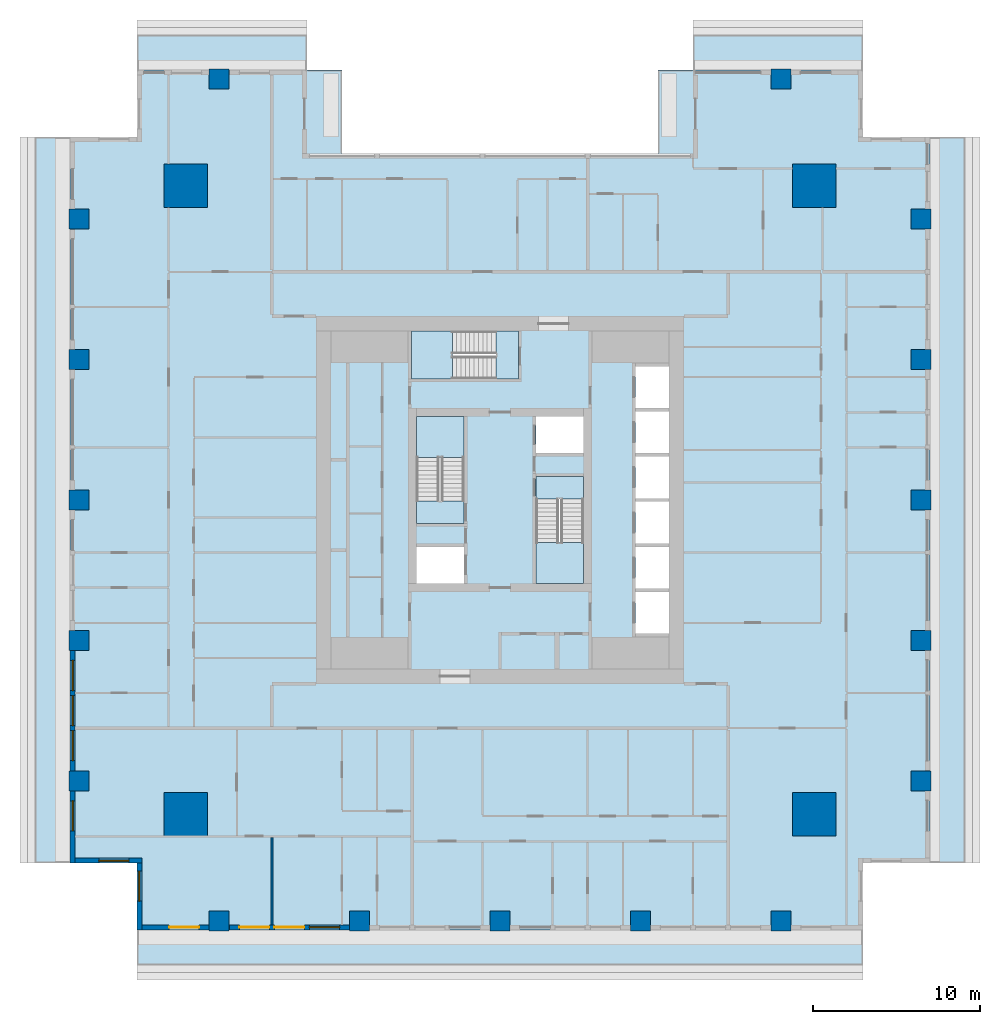
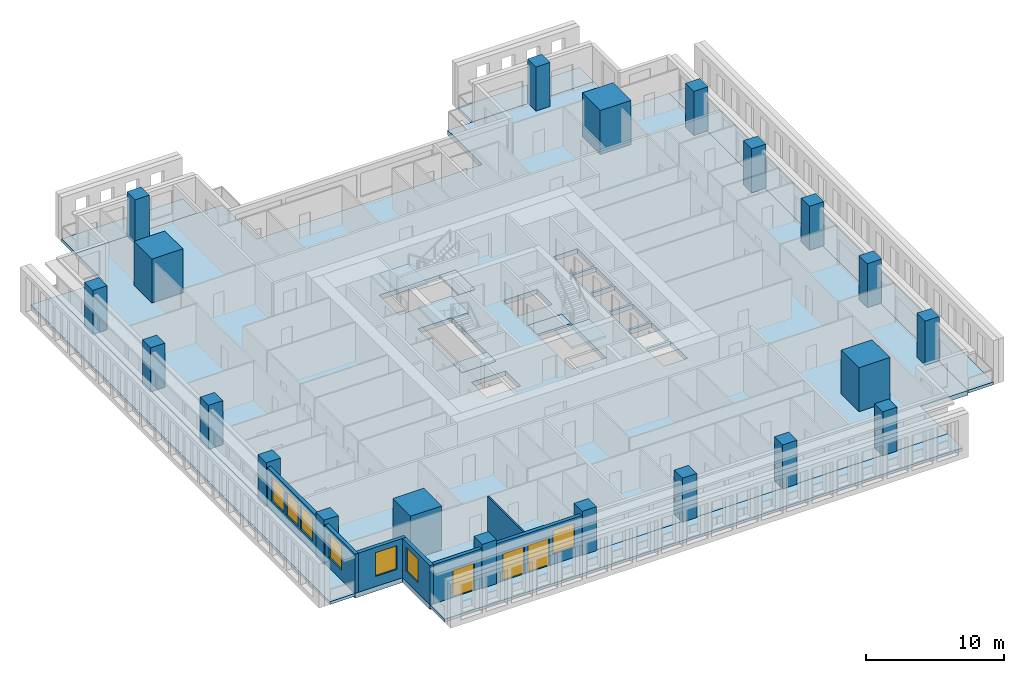
# One storey, part 1 of 15: 21 columns, 12 slabs, 7 walls, 7 windows, 3 doors, 10 openings, 3 elements without a shape of their own.
"""IFC4 building model written with IfcOpenShell, lengths in metres."""

from ifc_helpers import new_model, si_unit, direction, frame, frame_2d, origin, origin_2d, place, context, subcontext, project, spatial, polyline, rectangle, outline, extrude, material, layer, layer_set, material_profile, profile_set, type_object, element, fill, aggregate, save


model = new_model("IFC4")

# Units and contexts
model_context = context("Model", 3, precision=1e-05, world=origin(), true_north=direction((0.0, 1.0)))
body_context = subcontext(model_context, "Body", "Model", "MODEL_VIEW")
ifc_project = project(units=[si_unit("LENGTHUNIT", "METRE"), si_unit("AREAUNIT", "SQUARE_METRE"), si_unit("VOLUMEUNIT", "CUBIC_METRE"), si_unit("PLANEANGLEUNIT", "RADIAN"), si_unit("MASSUNIT", "GRAM", prefix="KILO")], contexts=[model_context])

# Site, building, storey
site_placement = place(None, origin())
site = spatial("IfcSite", under=ifc_project, at=site_placement, CompositionType="ELEMENT")
building_placement = place(site_placement, origin())
building = spatial("IfcBuilding", under=site, at=building_placement, Name="Khepri Terraces", CompositionType="ELEMENT")
storey_placement = place(building_placement, frame((0.0, 0.0, 165.0)))
storey = spatial("IfcBuildingStorey", under=building, at=storey_placement, Name="L39", CompositionType="ELEMENT", Elevation=165.0)

# Columns
ifc_material_1 = material(Name="Concrete C60/75", Category="concrete")
ifc_material_profile_1 = material_profile(ifc_material_1, rectangle(XDim=2.60009765625, YDim=2.60009765625, at=origin_2d()), Name="Concrete C60/75", Category="concrete")
ifc_profile_set_1 = profile_set([ifc_material_profile_1], Name="Concrete C60/75")
column_type_1 = type_object("IfcColumnType", Name="Mega column RC 2600x2600 C60/75", PredefinedType="COLUMN", material=ifc_profile_set_1)
for number, where, z_axis, x_axis, name in (
    (1, (18.800048828125, 18.800048828125, 0.0), (0.0, 0.0, 1.0), (1.0, 0.0, 0.0), "Mega column MEN L39"),
    (2, (18.800048828125, -18.800048828125, 0.0), (0.0, 0.0, 1.0), (1.0, 0.0, 0.0), "Mega column MES L39"),
    (3, (-18.800048828125, 18.800048828125, 0.0), (0.0, 0.0, 1.0), (1.0, 0.0, 0.0), "Mega column MWN L39"),
    (4, (-18.800048828125, -18.800048828125, 0.0), (0.0, 0.0, 1.0), (1.0, 0.0, 0.0), "Mega column MWS L39"),
):
    element("IfcColumn", number, at=place(storey_placement, frame(where, z_axis=z_axis, x_axis=x_axis)), inside=storey, type_object=column_type_1, Name=name, PredefinedType="COLUMN", context=body_context, shape_type="SweptSolid", body=[
        extrude(rectangle(XDim=2.60009765625, YDim=2.60009765625, at=origin_2d()), origin(), (0.0, 0.0, 1.0), 3.89990234375),
    ])
ifc_material_profile_2 = material_profile(ifc_material_1, rectangle(XDim=1.199951171875, YDim=1.199951171875, at=origin_2d()), Name="Concrete C60/75", Category="concrete")
ifc_profile_set_2 = profile_set([ifc_material_profile_2], Name="Concrete C60/75")
column_type_2 = type_object("IfcColumnType", Name="Tower column RC 1200x1200 C60/75", PredefinedType="COLUMN", material=ifc_profile_set_2)
for number, where, z_axis, x_axis, name in (
    (5, (25.199951171875, 0.0, 0.0), (0.0, 0.0, 1.0), (1.0, 0.0, 0.0), "Perimeter column PE+000a L39"),
    (6, (25.199951171875, 8.39990234375, 0.0), (0.0, 0.0, 1.0), (1.0, 0.0, 0.0), "Perimeter column PE+084a L39"),
    (7, (25.199951171875, 16.800048828125, 0.0), (0.0, 0.0, 1.0), (1.0, 0.0, 0.0), "Perimeter column PE+168a L39"),
    (8, (25.199951171875, -8.39990234375, 0.0), (0.0, 0.0, 1.0), (1.0, 0.0, 0.0), "Perimeter column PE-084a L39"),
    (9, (25.199951171875, -16.800048828125, 0.0), (0.0, 0.0, 1.0), (1.0, 0.0, 0.0), "Perimeter column PE-168a L39"),
    (10, (-16.800048828125, 25.199951171875, 0.0), (0.0, 0.0, 1.0), (1.0, 0.0, 0.0), "Perimeter column PN+168a L39"),
    (11, (16.800048828125, 25.199951171875, 0.0), (0.0, 0.0, 1.0), (1.0, 0.0, 0.0), "Perimeter column PN-168a L39"),
    (12, (0.0, -25.199951171875, 0.0), (0.0, 0.0, 1.0), (1.0, 0.0, 0.0), "Perimeter column PS+000b L39"),
    (13, (8.39990234375, -25.199951171875, 0.0), (0.0, 0.0, 1.0), (1.0, 0.0, 0.0), "Perimeter column PS+084b L39"),
    (14, (16.800048828125, -25.199951171875, 0.0), (0.0, 0.0, 1.0), (1.0, 0.0, 0.0), "Perimeter column PS+168a L39"),
    (15, (-8.39990234375, -25.199951171875, 0.0), (0.0, 0.0, 1.0), (1.0, 0.0, 0.0), "Perimeter column PS-084b L39"),
    (16, (-16.800048828125, -25.199951171875, 0.0), (0.0, 0.0, 1.0), (1.0, 0.0, 0.0), "Perimeter column PS-168a L39"),
    (17, (-25.199951171875, 0.0, 0.0), (0.0, 0.0, 1.0), (1.0, 0.0, 0.0), "Perimeter column PW+000b L39"),
    (18, (-25.199951171875, -8.39990234375, 0.0), (0.0, 0.0, 1.0), (1.0, 0.0, 0.0), "Perimeter column PW+084b L39"),
    (19, (-25.199951171875, -16.800048828125, 0.0), (0.0, 0.0, 1.0), (1.0, 0.0, 0.0), "Perimeter column PW+168a L39"),
    (20, (-25.199951171875, 8.39990234375, 0.0), (0.0, 0.0, 1.0), (1.0, 0.0, 0.0), "Perimeter column PW-084b L39"),
    (21, (-25.199951171875, 16.800048828125, 0.0), (0.0, 0.0, 1.0), (1.0, 0.0, 0.0), "Perimeter column PW-168a L39"),
):
    element("IfcColumn", number, at=place(storey_placement, frame(where, z_axis=z_axis, x_axis=x_axis)), inside=storey, type_object=column_type_2, Name=name, PredefinedType="COLUMN", context=body_context, shape_type="SweptSolid", body=[
        extrude(rectangle(XDim=1.199951171875, YDim=1.199951171875, at=origin_2d()), origin(), (0.0, 0.0, 1.0), 3.89990234375),
    ])

# Slabs
ifc_material_2 = material(Name="Concrete C40/50", Category="concrete")
ifc_layer_1 = layer(ifc_material_2, 0.419921875, Name="Concrete C40/50", Category="concrete")
ifc_layer_set_1 = layer_set([ifc_layer_1], Name="Concrete C40/50")
slab_type_1 = type_object("IfcSlabType", Name="Flat plate 420", PredefinedType="FLOOR", material=ifc_layer_set_1)
slab_1_placement = place(storey_placement, frame((0.0, 0.0, -0.419921875)))
element("IfcSlab", 22, at=slab_1_placement, inside=storey, type_object=slab_type_1, Name="Floor slab F01 L39", PredefinedType="FLOOR", context=body_context, shape_type="SweptSolid", body=[
    extrude(outline(polyline([(9.449951171875, 25.719970703125), (11.550048828125, 25.719970703125), (21.719970703125, 25.719970703125), (21.719970703125, 21.719970703125), (25.719970703125, 21.719970703125), (25.719970703125, -21.719970703125), (21.719970703125, -21.719970703125), (21.719970703125, -25.719970703125), (-21.719970703125, -25.719970703125), (-21.719970703125, -21.719970703125), (-25.719970703125, -21.719970703125), (-25.719970703125, 21.719970703125), (-21.719970703125, 21.719970703125), (-21.719970703125, 25.719970703125), (-11.550048828125, 25.719970703125), (-9.449951171875, 25.719970703125), (-9.449951171875, 20.719970703125), (9.449951171875, 20.719970703125), (9.449951171875, 25.719970703125)]), holes=[polyline([(2.14990234375, 2.800048828125), (5.0, 2.800048828125), (5.0, 5.0), (2.14990234375, 5.0), (2.14990234375, 2.800048828125)]), polyline([(-5.0, -2.800048828125), (-5.0, -5.0), (-2.14990234375, -5.0), (-2.14990234375, -2.800048828125), (-5.0, -2.800048828125)]), polyline([(10.10009765625, -5.5), (8.10009765625, -5.5), (8.10009765625, -8.0), (10.10009765625, -8.0), (10.10009765625, -5.5)]), polyline([(10.10009765625, -5.300048828125), (10.10009765625, -2.800048828125), (8.10009765625, -2.800048828125), (8.10009765625, -5.300048828125), (10.10009765625, -5.300048828125)]), polyline([(8.10009765625, -2.60009765625), (10.10009765625, -2.60009765625), (10.10009765625, -0.10009765625), (8.10009765625, -0.10009765625), (8.10009765625, -2.60009765625)]), polyline([(8.10009765625, 2.60009765625), (8.10009765625, 0.10009765625), (10.10009765625, 0.10009765625), (10.10009765625, 2.60009765625), (8.10009765625, 2.60009765625)]), polyline([(10.10009765625, 5.300048828125), (8.10009765625, 5.300048828125), (8.10009765625, 2.800048828125), (10.10009765625, 2.800048828125), (10.10009765625, 5.300048828125)]), polyline([(10.10009765625, 5.5), (10.10009765625, 8.0), (8.10009765625, 8.0), (8.10009765625, 5.5), (10.10009765625, 5.5)]), polyline([(-5.0, -1.39990234375), (-2.14990234375, -1.39990234375), (-2.14990234375, 5.0), (-5.0, 5.0), (-5.0, -1.39990234375)]), polyline([(5.0, -5.0), (5.0, 1.39990234375), (2.14990234375, 1.39990234375), (2.14990234375, -5.0), (5.0, -5.0)]), polyline([(-5.300048828125, 10.10009765625), (-5.300048828125, 7.25), (1.10009765625, 7.25), (1.10009765625, 10.10009765625), (-5.300048828125, 10.10009765625)])]), origin(), (0.0, 0.0, 1.0), 0.419921875),
])
ifc_material_3 = material(Name="Precast concrete C50/60 warm stone", Category="masonry")
ifc_layer_2 = layer(ifc_material_3, 0.25, Name="Precast concrete C50/60 warm stone", Category="masonry")
ifc_layer_set_2 = layer_set([ifc_layer_2], Name="Precast concrete C50/60 warm stone")
slab_type_2 = type_object("IfcSlabType", Name="SLB-BALCONY-250", PredefinedType="FLOOR", material=ifc_layer_set_2)
slab_2_placement = place(storey_placement, frame((0.0, 0.0, -0.25)))
element("IfcSlab", 23, at=slab_2_placement, inside=storey, type_object=slab_type_2, Name="Balcony slab L39 S", PredefinedType="FLOOR", context=body_context, shape_type="SweptSolid", body=[
    extrude(outline(polyline([(-17.39990234375, -25.719970703125), (-21.719970703125, -25.719970703125), (-21.719970703125, -27.820068359375), (21.719970703125, -27.820068359375), (21.719970703125, -25.719970703125), (17.39990234375, -25.719970703125), (17.39990234375, -25.800048828125), (16.199951171875, -25.800048828125), (16.199951171875, -25.719970703125), (9.0, -25.719970703125), (9.0, -25.800048828125), (7.800048828125, -25.800048828125), (7.800048828125, -25.719970703125), (0.60009765625, -25.719970703125), (0.60009765625, -25.800048828125), (-0.60009765625, -25.800048828125), (-0.60009765625, -25.719970703125), (-7.800048828125, -25.719970703125), (-7.800048828125, -25.800048828125), (-9.0, -25.800048828125), (-9.0, -25.719970703125), (-16.199951171875, -25.719970703125), (-16.199951171875, -25.800048828125), (-17.39990234375, -25.800048828125), (-17.39990234375, -25.719970703125)])), origin(), (0.0, 0.0, 1.0), 0.25),
])
slab_3_placement = place(storey_placement, frame((0.0, 0.0, -0.25)))
element("IfcSlab", 24, at=slab_3_placement, inside=storey, type_object=slab_type_2, Name="Balcony slab L39 E", PredefinedType="FLOOR", context=body_context, shape_type="SweptSolid", body=[
    extrude(outline(polyline([(25.719970703125, -17.39990234375), (25.719970703125, -21.719970703125), (27.820068359375, -21.719970703125), (27.820068359375, 21.719970703125), (25.719970703125, 21.719970703125), (25.719970703125, 17.39990234375), (25.800048828125, 17.39990234375), (25.800048828125, 16.199951171875), (25.719970703125, 16.199951171875), (25.719970703125, 9.0), (25.800048828125, 9.0), (25.800048828125, 7.800048828125), (25.719970703125, 7.800048828125), (25.719970703125, 0.60009765625), (25.800048828125, 0.60009765625), (25.800048828125, -0.60009765625), (25.719970703125, -0.60009765625), (25.719970703125, -7.800048828125), (25.800048828125, -7.800048828125), (25.800048828125, -9.0), (25.719970703125, -9.0), (25.719970703125, -16.199951171875), (25.800048828125, -16.199951171875), (25.800048828125, -17.39990234375), (25.719970703125, -17.39990234375)])), origin(), (0.0, 0.0, 1.0), 0.25),
])
slab_4_placement = place(storey_placement, frame((0.0, 0.0, -0.25)))
element("IfcSlab", 25, at=slab_4_placement, inside=storey, type_object=slab_type_2, Name="Balcony slab L39 N", PredefinedType="FLOOR", context=body_context, shape_type="SweptSolid", body=[
    extrude(outline(polyline([(17.39990234375, 25.719970703125), (21.719970703125, 25.719970703125), (21.719970703125, 27.820068359375), (11.550048828125, 27.820068359375), (11.550048828125, 25.719970703125), (16.199951171875, 25.719970703125), (16.199951171875, 25.800048828125), (17.39990234375, 25.800048828125), (17.39990234375, 25.719970703125)])), origin(), (0.0, 0.0, 1.0), 0.25),
])
slab_5_placement = place(storey_placement, frame((0.0, 0.0, -0.25)))
element("IfcSlab", 26, at=slab_5_placement, inside=storey, type_object=slab_type_2, Name="Balcony slab L39 N", PredefinedType="FLOOR", context=body_context, shape_type="SweptSolid", body=[
    extrude(outline(polyline([(-16.199951171875, 25.719970703125), (-11.550048828125, 25.719970703125), (-11.550048828125, 27.820068359375), (-21.719970703125, 27.820068359375), (-21.719970703125, 25.719970703125), (-17.39990234375, 25.719970703125), (-17.39990234375, 25.800048828125), (-16.199951171875, 25.800048828125), (-16.199951171875, 25.719970703125)])), origin(), (0.0, 0.0, 1.0), 0.25),
])
slab_6_placement = place(storey_placement, frame((0.0, 0.0, -0.25)))
element("IfcSlab", 27, at=slab_6_placement, inside=storey, type_object=slab_type_2, Name="Balcony slab L39 W", PredefinedType="FLOOR", context=body_context, shape_type="SweptSolid", body=[
    extrude(outline(polyline([(-25.719970703125, 17.39990234375), (-25.719970703125, 21.719970703125), (-27.820068359375, 21.719970703125), (-27.820068359375, -21.719970703125), (-25.719970703125, -21.719970703125), (-25.719970703125, -17.39990234375), (-25.800048828125, -17.39990234375), (-25.800048828125, -16.199951171875), (-25.719970703125, -16.199951171875), (-25.719970703125, -9.0), (-25.800048828125, -9.0), (-25.800048828125, -7.800048828125), (-25.719970703125, -7.800048828125), (-25.719970703125, -0.60009765625), (-25.800048828125, -0.60009765625), (-25.800048828125, 0.60009765625), (-25.719970703125, 0.60009765625), (-25.719970703125, 7.800048828125), (-25.800048828125, 7.800048828125), (-25.800048828125, 9.0), (-25.719970703125, 9.0), (-25.719970703125, 16.199951171875), (-25.800048828125, 16.199951171875), (-25.800048828125, 17.39990234375), (-25.719970703125, 17.39990234375)])), origin(), (0.0, 0.0, 1.0), 0.25),
])

# Stair, slabs
stair_type = type_object("IfcStairType", Name="STAIR-RC-22R", PredefinedType="HALF_TURN_STAIR", material=ifc_material_2)
stair_1_placement = place(storey_placement, origin())
stair_1 = element("IfcStair", 28, at=stair_1_placement, inside=storey, type_object=stair_type, Name="L39 Exit Stair ST-1", PredefinedType="HALF_TURN_STAIR")
ifc_layer_3 = layer(ifc_material_2, 0.199951171875, Name="Concrete C40/50", Category="concrete")
ifc_layer_set_3 = layer_set([ifc_layer_3], Name="Concrete C40/50")
slab_type_3 = type_object("IfcSlabType", Name="SLB-CORE-LANDING", PredefinedType="LANDING", material=ifc_layer_set_3)
slab_7_placement = place(storey_placement, frame((0.0, 0.0, -0.199951171875)))
slab_7 = element("IfcSlab", 29, at=slab_7_placement, type_object=slab_type_3, Name="ST-1 landing 1", PredefinedType="LANDING", context=body_context, shape_type="SweptSolid", body=[
    extrude(outline(polyline([(-2.14990234375, -1.39990234375), (-2.14990234375, -0.050048828125), (-5.0, -0.050048828125), (-5.0, -1.39990234375), (-2.14990234375, -1.39990234375)])), origin(), (0.0, 0.0, 1.0), 0.199951171875),
])
slab_8_placement = place(storey_placement, frame((0.0, 0.0, 1.75)))
slab_8 = element("IfcSlab", 30, at=slab_8_placement, type_object=slab_type_3, Name="ST-1 landing 2", PredefinedType="LANDING", context=body_context, shape_type="SweptSolid", body=[
    extrude(outline(polyline([(-2.14990234375, 2.550048828125), (-2.14990234375, 5.0), (-5.0, 5.0), (-5.0, 2.550048828125), (-2.14990234375, 2.550048828125)])), origin(), (0.0, 0.0, 1.0), 0.199951171875),
])
aggregate(stair_1, [slab_7, slab_8])

stair_2_placement = place(storey_placement, origin())
stair_2 = element("IfcStair", 31, at=stair_2_placement, inside=storey, type_object=stair_type, Name="L39 Exit Stair ST-2", PredefinedType="HALF_TURN_STAIR")
slab_9_placement = place(storey_placement, frame((0.0, 0.0, -0.199951171875)))
slab_9 = element("IfcSlab", 32, at=slab_9_placement, type_object=slab_type_3, Name="ST-2 landing 1", PredefinedType="LANDING", context=body_context, shape_type="SweptSolid", body=[
    extrude(outline(polyline([(2.14990234375, 1.39990234375), (2.14990234375, 0.050048828125), (5.0, 0.050048828125), (5.0, 1.39990234375), (2.14990234375, 1.39990234375)])), origin(), (0.0, 0.0, 1.0), 0.199951171875),
])
slab_10_placement = place(storey_placement, frame((0.0, 0.0, 1.75)))
slab_10 = element("IfcSlab", 33, at=slab_10_placement, type_object=slab_type_3, Name="ST-2 landing 2", PredefinedType="LANDING", context=body_context, shape_type="SweptSolid", body=[
    extrude(outline(polyline([(2.14990234375, -2.550048828125), (2.14990234375, -5.0), (5.0, -5.0), (5.0, -2.550048828125), (2.14990234375, -2.550048828125)])), origin(), (0.0, 0.0, 1.0), 0.199951171875),
])
aggregate(stair_2, [slab_9, slab_10])

stair_3_placement = place(storey_placement, origin())
stair_3 = element("IfcStair", 34, at=stair_3_placement, inside=storey, type_object=stair_type, Name="L39 Exit Stair ST-3", PredefinedType="HALF_TURN_STAIR")
slab_11_placement = place(storey_placement, frame((0.0, 0.0, -0.199951171875)))
slab_11 = element("IfcSlab", 35, at=slab_11_placement, type_object=slab_type_3, Name="ST-3 landing 1", PredefinedType="LANDING", context=body_context, shape_type="SweptSolid", body=[
    extrude(outline(polyline([(1.10009765625, 10.10009765625), (-0.25, 10.10009765625), (-0.25, 7.25), (1.10009765625, 7.25), (1.10009765625, 10.10009765625)])), origin(), (0.0, 0.0, 1.0), 0.199951171875),
])
slab_12_placement = place(storey_placement, frame((0.0, 0.0, 1.75)))
slab_12 = element("IfcSlab", 36, at=slab_12_placement, type_object=slab_type_3, Name="ST-3 landing 2", PredefinedType="LANDING", context=body_context, shape_type="SweptSolid", body=[
    extrude(outline(polyline([(-2.85009765625, 10.10009765625), (-5.300048828125, 10.10009765625), (-5.300048828125, 7.25), (-2.85009765625, 7.25), (-2.85009765625, 10.10009765625)])), origin(), (0.0, 0.0, 1.0), 0.199951171875),
])
aggregate(stair_3, [slab_11, slab_12])

# Wall, openings, windows
ifc_layer_4 = layer(ifc_material_3, 0.300048828125, Name="Precast concrete C50/60 warm stone", Category="masonry")
ifc_layer_set_4 = layer_set([ifc_layer_4], Name="Precast concrete C50/60 warm stone")
wall_type_1 = type_object("IfcWallType", Name="WL-EXT-PRECAST-300", PredefinedType="STANDARD", material=ifc_layer_set_4)
wall_1_placement = place(storey_placement, frame((-25.570068359375, -9.0, 0.0), z_axis=(0.0, 0.0, 1.0), x_axis=(0.0, -1.0, 0.0)))
wall_1 = element("IfcWall", 37, at=wall_1_placement, inside=storey, type_object=wall_type_1, Name="External wall L39 W", PredefinedType="STANDARD", context=body_context, shape_type="SweptSolid", body=[
    extrude(rectangle(XDim=7.199951171875, YDim=0.300048828125, at=frame_2d((3.60009765625, 0.0))), origin(), (0.0, 0.0, 1.0), 3.47998046875),
])
opening_1_placement = place(wall_1_placement, frame((0.60009765625, 0.0, 0.89990234375)))
opening_1 = element("IfcOpeningElement", 38, at=opening_1_placement, cuts=wall_1, Name="Opening W1", PredefinedType="OPENING", context=body_context, shape_type="SweptSolid", body=[
    extrude(rectangle(XDim=1.800048828125, YDim=2.10009765625, at=frame_2d((0.89990234375, 1.050048828125))), frame((0.0, 0.16015625, 0.0), z_axis=(0.0, -1.0, 0.0), x_axis=(1.0, 0.0, 0.0)), (0.0, 0.0, 1.0), 0.320068359375),
])
opening_2_placement = place(wall_1_placement, frame((2.699951171875, 0.0, 0.89990234375)))
opening_2 = element("IfcOpeningElement", 39, at=opening_2_placement, cuts=wall_1, Name="Opening W1", PredefinedType="OPENING", context=body_context, shape_type="SweptSolid", body=[
    extrude(rectangle(XDim=1.800048828125, YDim=2.10009765625, at=frame_2d((0.89990234375, 1.050048828125))), frame((0.0, 0.16015625, 0.0), z_axis=(0.0, -1.0, 0.0), x_axis=(1.0, 0.0, 0.0)), (0.0, 0.0, 1.0), 0.320068359375),
])
opening_3_placement = place(wall_1_placement, frame((4.800048828125, 0.0, 0.89990234375)))
opening_3 = element("IfcOpeningElement", 40, at=opening_3_placement, cuts=wall_1, Name="Opening W1", PredefinedType="OPENING", context=body_context, shape_type="SweptSolid", body=[
    extrude(rectangle(XDim=1.800048828125, YDim=2.10009765625, at=frame_2d((0.89990234375, 1.050048828125))), frame((0.0, 0.16015625, 0.0), z_axis=(0.0, -1.0, 0.0), x_axis=(1.0, 0.0, 0.0)), (0.0, 0.0, 1.0), 0.320068359375),
])
ifc_material_4 = material(Name="Clear glass", Category="glass")
window_type = type_object("IfcWindowType", Name="WIN-RES-1800x2100", PartitioningType="SINGLE_PANEL", PredefinedType="WINDOW", material=ifc_material_4)
window_1_placement = place(opening_1_placement, origin())
window_1 = element("IfcWindow", 41, at=window_1_placement, inside=storey, type_object=window_type, Name="Window L39 W", OverallHeight=2.10009765625, OverallWidth=1.800048828125, PartitioningType="SINGLE_PANEL", PredefinedType="WINDOW", context=body_context, shape_type="SweptSolid", body=[
    extrude(rectangle(XDim=1.800048828125, YDim=2.10009765625, at=frame_2d((0.89990234375, 1.050048828125))), frame((0.0, 0.030029296875, 0.0), z_axis=(0.0, -1.0, 0.0), x_axis=(1.0, 0.0, 0.0)), (0.0, 0.0, 1.0), 0.06005859375),
])
fill(opening_1, window_1)
window_2_placement = place(opening_2_placement, origin())
window_2 = element("IfcWindow", 42, at=window_2_placement, inside=storey, type_object=window_type, Name="Window L39 W", OverallHeight=2.10009765625, OverallWidth=1.800048828125, PartitioningType="SINGLE_PANEL", PredefinedType="WINDOW", context=body_context, shape_type="SweptSolid", body=[
    extrude(rectangle(XDim=1.800048828125, YDim=2.10009765625, at=frame_2d((0.89990234375, 1.050048828125))), frame((0.0, 0.030029296875, 0.0), z_axis=(0.0, -1.0, 0.0), x_axis=(1.0, 0.0, 0.0)), (0.0, 0.0, 1.0), 0.06005859375),
])
fill(opening_2, window_2)
window_3_placement = place(opening_3_placement, origin())
window_3 = element("IfcWindow", 43, at=window_3_placement, inside=storey, type_object=window_type, Name="Window L39 W", OverallHeight=2.10009765625, OverallWidth=1.800048828125, PartitioningType="SINGLE_PANEL", PredefinedType="WINDOW", context=body_context, shape_type="SweptSolid", body=[
    extrude(rectangle(XDim=1.800048828125, YDim=2.10009765625, at=frame_2d((0.89990234375, 1.050048828125))), frame((0.0, 0.030029296875, 0.0), z_axis=(0.0, -1.0, 0.0), x_axis=(1.0, 0.0, 0.0)), (0.0, 0.0, 1.0), 0.06005859375),
])
fill(opening_3, window_3)

# Wall, opening, window
wall_2_placement = place(storey_placement, frame((-25.570068359375, -17.39990234375, 0.0), z_axis=(0.0, 0.0, 1.0), x_axis=(0.0, -1.0, 0.0)))
wall_2 = element("IfcWall", 44, at=wall_2_placement, inside=storey, type_object=wall_type_1, Name="External wall L39 W", PredefinedType="STANDARD", context=body_context, shape_type="SweptSolid", body=[
    extrude(rectangle(XDim=4.320068359375, YDim=0.300048828125, at=frame_2d((2.16015625, 0.0))), origin(), (0.0, 0.0, 1.0), 3.47998046875),
])
opening_4_placement = place(wall_2_placement, frame((0.60009765625, 0.0, 0.89990234375)))
opening_4 = element("IfcOpeningElement", 45, at=opening_4_placement, cuts=wall_2, Name="Opening W1", PredefinedType="OPENING", context=body_context, shape_type="SweptSolid", body=[
    extrude(rectangle(XDim=1.800048828125, YDim=2.10009765625, at=frame_2d((0.89990234375, 1.050048828125))), frame((0.0, 0.16015625, 0.0), z_axis=(0.0, -1.0, 0.0), x_axis=(1.0, 0.0, 0.0)), (0.0, 0.0, 1.0), 0.320068359375),
])
window_4_placement = place(opening_4_placement, origin())
window_4 = element("IfcWindow", 46, at=window_4_placement, inside=storey, type_object=window_type, Name="Window L39 W", OverallHeight=2.10009765625, OverallWidth=1.800048828125, PartitioningType="SINGLE_PANEL", PredefinedType="WINDOW", context=body_context, shape_type="SweptSolid", body=[
    extrude(rectangle(XDim=1.800048828125, YDim=2.10009765625, at=frame_2d((0.89990234375, 1.050048828125))), frame((0.0, 0.030029296875, 0.0), z_axis=(0.0, -1.0, 0.0), x_axis=(1.0, 0.0, 0.0)), (0.0, 0.0, 1.0), 0.06005859375),
])
fill(opening_4, window_4)

wall_3_placement = place(storey_placement, frame((-25.419921875, -21.570068359375, 0.0), z_axis=(0.0, 0.0, 1.0), x_axis=(1.0, 0.0, 0.0)))
wall_3 = element("IfcWall", 47, at=wall_3_placement, inside=storey, type_object=wall_type_1, Name="External wall L39 S", PredefinedType="STANDARD", context=body_context, shape_type="SweptSolid", body=[
    extrude(rectangle(XDim=4.0, YDim=0.300048828125, at=frame_2d((2.0, 0.0))), origin(), (0.0, 0.0, 1.0), 3.47998046875),
])
opening_5_placement = place(wall_3_placement, frame((1.419921875, 0.0, 0.89990234375)))
opening_5 = element("IfcOpeningElement", 48, at=opening_5_placement, cuts=wall_3, Name="Opening W1", PredefinedType="OPENING", context=body_context, shape_type="SweptSolid", body=[
    extrude(rectangle(XDim=1.800048828125, YDim=2.10009765625, at=frame_2d((0.89990234375, 1.050048828125))), frame((0.0, 0.16015625, 0.0), z_axis=(0.0, -1.0, 0.0), x_axis=(1.0, 0.0, 0.0)), (0.0, 0.0, 1.0), 0.320068359375),
])
window_5_placement = place(opening_5_placement, origin())
window_5 = element("IfcWindow", 49, at=window_5_placement, inside=storey, type_object=window_type, Name="Window L39 S", OverallHeight=2.10009765625, OverallWidth=1.800048828125, PartitioningType="SINGLE_PANEL", PredefinedType="WINDOW", context=body_context, shape_type="SweptSolid", body=[
    extrude(rectangle(XDim=1.800048828125, YDim=2.10009765625, at=frame_2d((0.89990234375, 1.050048828125))), frame((0.0, 0.030029296875, 0.0), z_axis=(0.0, -1.0, 0.0), x_axis=(1.0, 0.0, 0.0)), (0.0, 0.0, 1.0), 0.06005859375),
])
fill(opening_5, window_5)

wall_4_placement = place(storey_placement, frame((-21.570068359375, -21.719970703125, 0.0), z_axis=(0.0, 0.0, 1.0), x_axis=(0.0, -1.0, 0.0)))
wall_4 = element("IfcWall", 50, at=wall_4_placement, inside=storey, type_object=wall_type_1, Name="External wall L39 W", PredefinedType="STANDARD", context=body_context, shape_type="SweptSolid", body=[
    extrude(rectangle(XDim=4.0, YDim=0.300048828125, at=frame_2d((2.0, 0.0))), origin(), (0.0, 0.0, 1.0), 3.47998046875),
])
opening_6_placement = place(wall_4_placement, frame((0.47998046875, 0.0, 0.89990234375)))
opening_6 = element("IfcOpeningElement", 51, at=opening_6_placement, cuts=wall_4, Name="Opening W1", PredefinedType="OPENING", context=body_context, shape_type="SweptSolid", body=[
    extrude(rectangle(XDim=1.800048828125, YDim=2.10009765625, at=frame_2d((0.89990234375, 1.050048828125))), frame((0.0, 0.16015625, 0.0), z_axis=(0.0, -1.0, 0.0), x_axis=(1.0, 0.0, 0.0)), (0.0, 0.0, 1.0), 0.320068359375),
])
window_6_placement = place(opening_6_placement, origin())
window_6 = element("IfcWindow", 52, at=window_6_placement, inside=storey, type_object=window_type, Name="Window L39 W", OverallHeight=2.10009765625, OverallWidth=1.800048828125, PartitioningType="SINGLE_PANEL", PredefinedType="WINDOW", context=body_context, shape_type="SweptSolid", body=[
    extrude(rectangle(XDim=1.800048828125, YDim=2.10009765625, at=frame_2d((0.89990234375, 1.050048828125))), frame((0.0, 0.030029296875, 0.0), z_axis=(0.0, -1.0, 0.0), x_axis=(1.0, 0.0, 0.0)), (0.0, 0.0, 1.0), 0.06005859375),
])
fill(opening_6, window_6)

# Wall, opening, door
wall_5_placement = place(storey_placement, frame((-21.419921875, -25.570068359375, 0.0), z_axis=(0.0, 0.0, 1.0), x_axis=(1.0, 0.0, 0.0)))
wall_5 = element("IfcWall", 53, at=wall_5_placement, inside=storey, type_object=wall_type_1, Name="External wall L39 S", PredefinedType="STANDARD", context=body_context, shape_type="SweptSolid", body=[
    extrude(rectangle(XDim=4.02001953125, YDim=0.300048828125, at=frame_2d((2.010009765625, 0.0))), origin(), (0.0, 0.0, 1.0), 3.47998046875),
])
opening_7_placement = place(wall_5_placement, frame((1.6201171875, 0.0, 0.0)))
opening_7 = element("IfcOpeningElement", 54, at=opening_7_placement, cuts=wall_5, Name="Opening ED-L39-19", PredefinedType="OPENING", context=body_context, shape_type="SweptSolid", body=[
    extrude(rectangle(XDim=1.800048828125, YDim=2.39990234375, at=frame_2d((0.89990234375, 1.199951171875))), frame((0.0, 0.16015625, 0.0), z_axis=(0.0, -1.0, 0.0), x_axis=(1.0, 0.0, 0.0)), (0.0, 0.0, 1.0), 0.320068359375),
])
ifc_material_5 = material(Name="Anodised aluminium bronze glazed door", Category="aluminium")
door_type = type_object("IfcDoorType", Name="DR-BAL-SLIDE-1800x2400", OperationType="NOTDEFINED", PredefinedType="DOOR", material=ifc_material_5)
door_1_placement = place(opening_7_placement, origin())
door_1 = element("IfcDoor", 55, at=door_1_placement, inside=storey, type_object=door_type, Name="Balcony door L39 S", OperationType="SLIDING_TO_RIGHT", OverallHeight=2.39990234375, OverallWidth=1.800048828125, PredefinedType="DOOR", context=body_context, shape_type="SweptSolid", body=[
    extrude(rectangle(XDim=1.800048828125, YDim=2.39990234375, at=frame_2d((0.89990234375, 1.199951171875))), frame((0.0, 0.02490234375, 0.0), z_axis=(0.0, -1.0, 0.0), x_axis=(1.0, 0.0, 0.0)), (0.0, 0.0, 1.0), 0.050048828125),
])
fill(opening_7, door_1)

# Wall, openings, doors, window
wall_6_placement = place(storey_placement, frame((-16.199951171875, -25.570068359375, 0.0), z_axis=(0.0, 0.0, 1.0), x_axis=(1.0, 0.0, 0.0)))
wall_6 = element("IfcWall", 56, at=wall_6_placement, inside=storey, type_object=wall_type_1, Name="External wall L39 S", PredefinedType="STANDARD", context=body_context, shape_type="SweptSolid", body=[
    extrude(rectangle(XDim=7.199951171875, YDim=0.300048828125, at=frame_2d((3.60009765625, 0.0))), origin(), (0.0, 0.0, 1.0), 3.47998046875),
])
opening_8_placement = place(wall_6_placement, frame((0.60009765625, 0.0, 0.0)))
opening_8 = element("IfcOpeningElement", 57, at=opening_8_placement, cuts=wall_6, Name="Opening ED-L39-20", PredefinedType="OPENING", context=body_context, shape_type="SweptSolid", body=[
    extrude(rectangle(XDim=1.800048828125, YDim=2.39990234375, at=frame_2d((0.89990234375, 1.199951171875))), frame((0.0, 0.16015625, 0.0), z_axis=(0.0, -1.0, 0.0), x_axis=(1.0, 0.0, 0.0)), (0.0, 0.0, 1.0), 0.320068359375),
])
opening_9_placement = place(wall_6_placement, frame((2.699951171875, 0.0, 0.0)))
opening_9 = element("IfcOpeningElement", 58, at=opening_9_placement, cuts=wall_6, Name="Opening ED-L39-21", PredefinedType="OPENING", context=body_context, shape_type="SweptSolid", body=[
    extrude(rectangle(XDim=1.800048828125, YDim=2.39990234375, at=frame_2d((0.89990234375, 1.199951171875))), frame((0.0, 0.16015625, 0.0), z_axis=(0.0, -1.0, 0.0), x_axis=(1.0, 0.0, 0.0)), (0.0, 0.0, 1.0), 0.320068359375),
])
opening_10_placement = place(wall_6_placement, frame((4.800048828125, 0.0, 0.89990234375)))
opening_10 = element("IfcOpeningElement", 59, at=opening_10_placement, cuts=wall_6, Name="Opening W1", PredefinedType="OPENING", context=body_context, shape_type="SweptSolid", body=[
    extrude(rectangle(XDim=1.800048828125, YDim=2.10009765625, at=frame_2d((0.89990234375, 1.050048828125))), frame((0.0, 0.16015625, 0.0), z_axis=(0.0, -1.0, 0.0), x_axis=(1.0, 0.0, 0.0)), (0.0, 0.0, 1.0), 0.320068359375),
])
door_2_placement = place(opening_8_placement, origin())
door_2 = element("IfcDoor", 60, at=door_2_placement, inside=storey, type_object=door_type, Name="Balcony door L39 S", OperationType="SLIDING_TO_LEFT", OverallHeight=2.39990234375, OverallWidth=1.800048828125, PredefinedType="DOOR", context=body_context, shape_type="SweptSolid", body=[
    extrude(rectangle(XDim=1.800048828125, YDim=2.39990234375, at=frame_2d((0.89990234375, 1.199951171875))), frame((0.0, 0.02490234375, 0.0), z_axis=(0.0, -1.0, 0.0), x_axis=(1.0, 0.0, 0.0)), (0.0, 0.0, 1.0), 0.050048828125),
])
fill(opening_8, door_2)
door_3_placement = place(opening_9_placement, origin())
door_3 = element("IfcDoor", 61, at=door_3_placement, inside=storey, type_object=door_type, Name="Balcony door L39 S", OperationType="SLIDING_TO_RIGHT", OverallHeight=2.39990234375, OverallWidth=1.800048828125, PredefinedType="DOOR", context=body_context, shape_type="SweptSolid", body=[
    extrude(rectangle(XDim=1.800048828125, YDim=2.39990234375, at=frame_2d((0.89990234375, 1.199951171875))), frame((0.0, 0.02490234375, 0.0), z_axis=(0.0, -1.0, 0.0), x_axis=(1.0, 0.0, 0.0)), (0.0, 0.0, 1.0), 0.050048828125),
])
fill(opening_9, door_3)
window_7_placement = place(opening_10_placement, origin())
window_7 = element("IfcWindow", 62, at=window_7_placement, inside=storey, type_object=window_type, Name="Window L39 S", OverallHeight=2.10009765625, OverallWidth=1.800048828125, PartitioningType="SINGLE_PANEL", PredefinedType="WINDOW", context=body_context, shape_type="SweptSolid", body=[
    extrude(rectangle(XDim=1.800048828125, YDim=2.10009765625, at=frame_2d((0.89990234375, 1.050048828125))), frame((0.0, 0.030029296875, 0.0), z_axis=(0.0, -1.0, 0.0), x_axis=(1.0, 0.0, 0.0)), (0.0, 0.0, 1.0), 0.06005859375),
])
fill(opening_10, window_7)

# Wall
ifc_material_6 = material(Name="Gypsum plasterboard partition")
ifc_layer_5 = layer(ifc_material_6, 0.1201171875, Name="Gypsum plasterboard partition")
ifc_layer_set_5 = layer_set([ifc_layer_5], Name="Gypsum plasterboard partition")
wall_type_2 = type_object("IfcWallType", Name="WL-PART-120", PredefinedType="PARTITIONING", material=ifc_layer_set_5)
wall_7_placement = place(storey_placement, frame((-13.64990234375, -25.419921875, 0.0), z_axis=(0.0, 0.0, 1.0), x_axis=(0.0, 1.0, 0.0)))
element("IfcWall", 63, at=wall_7_placement, inside=storey, type_object=wall_type_2, Name="Partition P-001 L39", PredefinedType="PARTITIONING", context=body_context, shape_type="SweptSolid", body=[
    extrude(rectangle(XDim=5.239990234375, YDim=0.1201171875, at=frame_2d((2.6201171875, 0.0))), origin(), (0.0, 0.0, 1.0), 3.47998046875),
])

save(model, "model.ifc")
